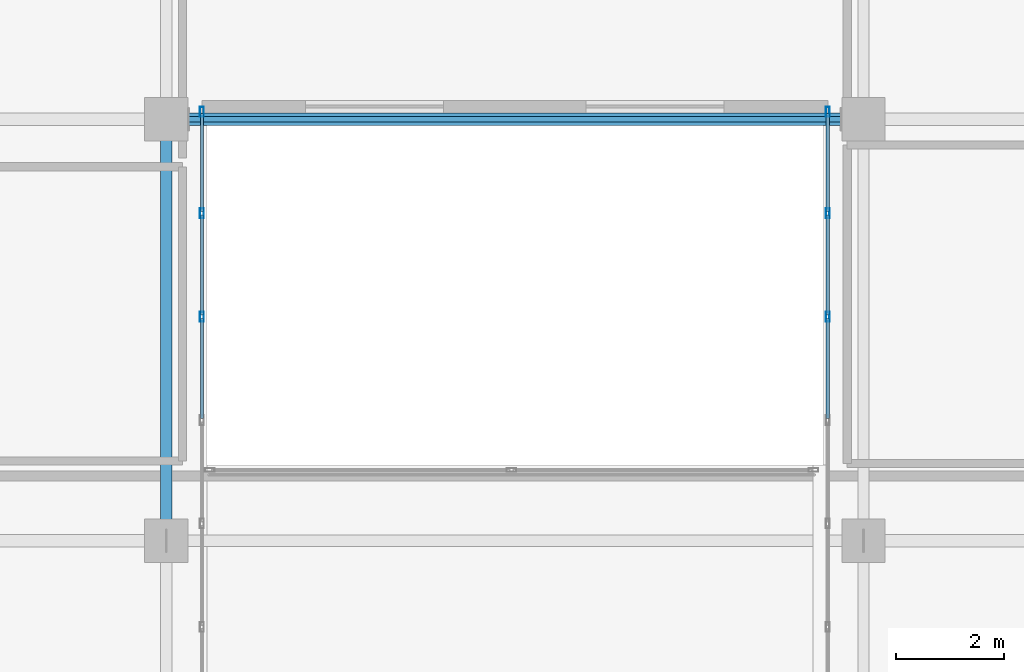
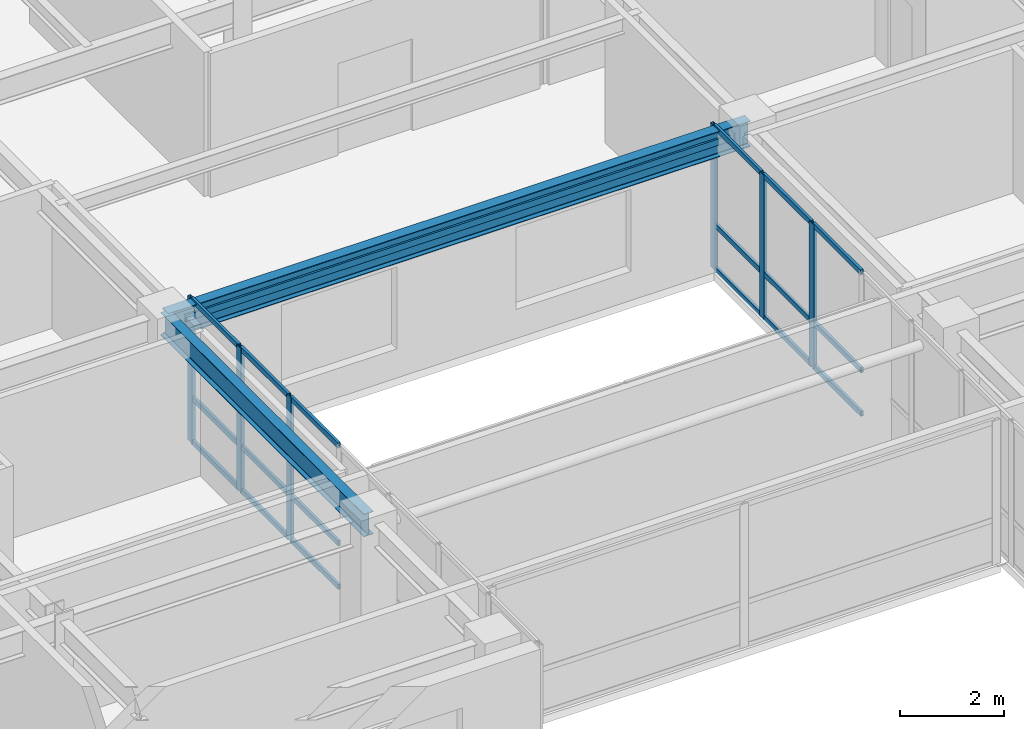
# One storey, part 4 of 20: 25 members, 2 beams, 2 elements without a shape of their own.
"""IFC4 building model written with IfcOpenShell, lengths in metres."""

from ifc_helpers import new_model, si_unit, direction, frame, origin, origin_2d, place, context, subcontext, project, spatial, hollow_rectangle, i_section, extrude, source, transform, mapped, material, layer, layer_set, material_profile, profile_set, type_object, type_shapes, element, aggregate, save


model = new_model("IFC4")

# Units and contexts
model_context = context("Model", 3, precision=1e-05, world=origin(), true_north=direction((0.0, 1.0)))
body_context = subcontext(model_context, "Body", "Model", "MODEL_VIEW")
ifc_project = project(units=[si_unit("LENGTHUNIT", "METRE"), si_unit("AREAUNIT", "SQUARE_METRE"), si_unit("VOLUMEUNIT", "CUBIC_METRE"), si_unit("PLANEANGLEUNIT", "RADIAN"), si_unit("MASSUNIT", "GRAM", prefix="KILO")], contexts=[model_context])

# Site, building, storey
site_placement = place(None, origin())
site = spatial("IfcSite", under=ifc_project, at=site_placement, CompositionType="ELEMENT")
building_placement = place(site_placement, origin())
building = spatial("IfcBuilding", under=site, at=building_placement, Name="Tolvann Quenvar Hotel", CompositionType="ELEMENT")
storey_placement = place(building_placement, frame((0.0, 0.0, 171.89990234375)))
storey = spatial("IfcBuildingStorey", under=building, at=storey_placement, Name="L45", CompositionType="ELEMENT", Elevation=171.89990234375)

# Beams
ifc_material_1 = material(Name="Steel Grade 350", Category="steel")
ifc_material_profile_1 = material_profile(ifc_material_1, i_section(OverallWidth=0.208984375, OverallDepth=0.532958984375, WebThickness=0.01025390625, FlangeThickness=0.015625, FilletRadius=0.013916015625, at=origin_2d()), Name="530UB92")
ifc_profile_set_1 = profile_set([ifc_material_profile_1], Name="Steel Grade 350")
beam_type_1 = type_object("IfcBeamType", Name="BM_GIRD_530UB92", PredefinedType="BEAM", material=ifc_profile_set_1)
shared_shape_1 = source(origin(), body_context, "Body", "SweptSolid", [
    extrude(i_section(OverallWidth=0.208984375, OverallDepth=0.532958984375, WebThickness=0.01025390625, FlangeThickness=0.015625, FilletRadius=0.013916015625, at=origin_2d()), origin(), (0.0, 0.0, 1.0), 7.800048828125),
])
type_shapes(beam_type_1, [shared_shape_1])
beam_1_placement = place(storey_placement, frame((22.050048828125, 8.199951171875, 3.103515625), z_axis=(0.0, 1.0, 0.0), x_axis=(-1.0, 0.0, 0.0)))
element("IfcBeam", 1, at=beam_1_placement, inside=storey, type_object=beam_type_1, Name="BM-L45-NS-E3-E4", PredefinedType="BEAM", context=body_context, shape_type="MappedRepresentation", body=[
    mapped(shared_shape_1, transform((0.0, 0.0, 0.0), x_axis=(1.0, 0.0, 0.0), y_axis=(0.0, 1.0, 0.0), z_axis=(0.0, 0.0, 1.0), scale=1.0)),
])
ifc_material_profile_2 = material_profile(ifc_material_1, i_section(OverallWidth=0.22802734375, OverallDepth=0.60205078125, WebThickness=0.010498046875, FlangeThickness=0.014892578125, FilletRadius=0.013916015625, at=origin_2d()), Name="610UB101")
ifc_profile_set_2 = profile_set([ifc_material_profile_2], Name="Steel Grade 350")
beam_type_2 = type_object("IfcBeamType", Name="BM_GIRD_610UB101", PredefinedType="BEAM", material=ifc_profile_set_2)
shared_shape_2 = source(origin(), body_context, "Body", "SweptSolid", [
    extrude(i_section(OverallWidth=0.22802734375, OverallDepth=0.60205078125, WebThickness=0.010498046875, FlangeThickness=0.014892578125, FilletRadius=0.013916015625, at=origin_2d()), origin(), (0.0, 0.0, 1.0), 12.89990234375),
])
type_shapes(beam_type_2, [shared_shape_2])
beam_2_placement = place(storey_placement, frame((22.050048828125, 16.0, 3.069091796875), z_axis=(1.0, 0.0, 0.0), x_axis=(0.0, 1.0, 0.0)))
element("IfcBeam", 2, at=beam_2_placement, inside=storey, type_object=beam_type_2, Name="BM-L45-EW-4-E4-F4", PredefinedType="BEAM", context=body_context, shape_type="MappedRepresentation", body=[
    mapped(shared_shape_2, transform((0.0, 0.0, 0.0), x_axis=(1.0, 0.0, 0.0), y_axis=(0.0, 1.0, 0.0), z_axis=(0.0, 0.0, 1.0), scale=1.0)),
])

# Member
ifc_material_2 = material(Name="Steel Grade 450 (C450L0)", Category="steel")
ifc_material_profile_3 = material_profile(ifc_material_2, hollow_rectangle(XDim=0.10009765625, YDim=0.14990234375, WallThickness=0.006103515625, at=origin_2d()), Name="150x100x6RHS")
ifc_profile_set_3 = profile_set([ifc_material_profile_3], Name="Steel Grade 450 (C450L0)")
member_type_1 = type_object("IfcMemberType", Name="MEM_GIRT_150RHS", PredefinedType="CHORD", material=ifc_profile_set_3)
shared_shape_3 = source(origin(), body_context, "Body", "SweptSolid", [
    extrude(hollow_rectangle(XDim=0.10009765625, YDim=0.14990234375, WallThickness=0.006103515625, at=origin_2d()), origin(), (0.0, 0.0, 1.0), 12.06982421875),
])
type_shapes(member_type_1, [shared_shape_3])
member_1_placement = place(storey_placement, frame((22.465087890625, 16.0, 3.070068359375), z_axis=(1.0, 0.0, 0.0), x_axis=(0.0, 1.0, 0.0)))
element("IfcMember", 3, at=member_1_placement, inside=storey, type_object=member_type_1, Name="Atrium Slot Spandrel Girt (L45)", PredefinedType="CHORD", context=body_context, shape_type="MappedRepresentation", body=[
    mapped(shared_shape_3, transform((0.0, 0.0, 0.0), x_axis=(1.0, 0.0, 0.0), y_axis=(0.0, 1.0, 0.0), z_axis=(0.0, 0.0, 1.0), scale=1.0)),
])

# Curtain wall, members
ifc_material_3 = material(Name="Thermally broken anodised architectural aluminium 6063-T6 and laminated low-E glass", Category="aluminium")
ifc_layer = layer(ifc_material_3, 0.179931640625)
ifc_layer_set = layer_set([ifc_layer], Name="Thermally broken anodised architectural aluminium 6063-T6 and laminated low-E glass")
curtain_wall_type = type_object("IfcCurtainWallType", Name="CW_SYS_SLOT_03", PredefinedType="USERDEFINED", material=ifc_layer_set)
curtain_wall_1_placement = place(storey_placement, origin())
curtain_wall_1 = element("IfcCurtainWall", 4, at=curtain_wall_1_placement, inside=storey, type_object=curtain_wall_type, Name="Curtain Wall CW-SLOT-03 (CWR-L45-E05)", ObjectType="UNITISED CURTAIN WALL", PredefinedType="USERDEFINED")
ifc_material_4 = material(Name="Anodised architectural aluminium 6063-T6 framing", Category="aluminium")
ifc_material_profile_4 = material_profile(ifc_material_4, hollow_rectangle(XDim=0.070068359375, YDim=0.179931640625, WallThickness=0.00390625, at=origin_2d()), Name="180x70x4RHS")
ifc_profile_set_4 = profile_set([ifc_material_profile_4], Name="Anodised architectural aluminium 6063-T6 framing")
member_type_2 = type_object("IfcMemberType", Name="CW_MULL_180x70", PredefinedType="MULLION", material=ifc_profile_set_4)
shared_shape_4 = source(origin(), body_context, "Body", "SweptSolid", [
    extrude(hollow_rectangle(XDim=0.070068359375, YDim=0.179931640625, WallThickness=0.00390625, at=origin_2d()), origin(), (0.0, 0.0, 1.0), 3.3701171875),
])
type_shapes(member_type_2, [shared_shape_4])
member_2_placement = place(storey_placement, frame((22.7099609375, 12.346435546875, 0.0), z_axis=(0.0, 0.0, 1.0), x_axis=(-1.0, 0.0, 0.0)))
member_2 = element("IfcMember", 5, at=member_2_placement, type_object=member_type_2, Name="CW-SLOT-03 mullion 6", PredefinedType="MULLION", context=body_context, shape_type="MappedRepresentation", body=[
    mapped(shared_shape_4, transform((0.0, 0.0, 0.0), x_axis=(1.0, 0.0, 0.0), y_axis=(0.0, 1.0, 0.0), z_axis=(0.0, 0.0, 1.0), scale=1.0)),
])
member_3_placement = place(storey_placement, frame((22.7099609375, 14.2607421875, 0.0), z_axis=(0.0, 0.0, 1.0), x_axis=(-1.0, 0.0, 0.0)))
member_3 = element("IfcMember", 6, at=member_3_placement, type_object=member_type_2, Name="CW-SLOT-03 mullion 7", PredefinedType="MULLION", context=body_context, shape_type="MappedRepresentation", body=[
    mapped(shared_shape_4, transform((0.0, 0.0, 0.0), x_axis=(1.0, 0.0, 0.0), y_axis=(0.0, 1.0, 0.0), z_axis=(0.0, 0.0, 1.0), scale=1.0)),
])
member_4_placement = place(storey_placement, frame((22.7099609375, 16.139892578125, 0.0), z_axis=(0.0, 0.0, 1.0), x_axis=(-1.0, 0.0, 0.0)))
member_4 = element("IfcMember", 7, at=member_4_placement, type_object=member_type_2, Name="CW-SLOT-03 mullion 8", PredefinedType="MULLION", context=body_context, shape_type="MappedRepresentation", body=[
    mapped(shared_shape_4, transform((0.0, 0.0, 0.0), x_axis=(1.0, 0.0, 0.0), y_axis=(0.0, 1.0, 0.0), z_axis=(0.0, 0.0, 1.0), scale=1.0)),
])

curtain_wall_2_placement = place(storey_placement, origin())
curtain_wall_2 = element("IfcCurtainWall", 8, at=curtain_wall_2_placement, inside=storey, type_object=curtain_wall_type, Name="Curtain Wall CW-SLOT-03 (CWR-L45-E07)", ObjectType="UNITISED CURTAIN WALL", PredefinedType="USERDEFINED")
member_5_placement = place(storey_placement, frame((34.2900390625, 16.139892578125, 0.0), z_axis=(0.0, 0.0, 1.0), x_axis=(1.0, 0.0, 0.0)))
member_5 = element("IfcMember", 9, at=member_5_placement, type_object=member_type_2, Name="CW-SLOT-03 mullion 1", PredefinedType="MULLION", context=body_context, shape_type="MappedRepresentation", body=[
    mapped(shared_shape_4, transform((0.0, 0.0, 0.0), x_axis=(1.0, 0.0, 0.0), y_axis=(0.0, 1.0, 0.0), z_axis=(0.0, 0.0, 1.0), scale=1.0)),
])
member_6_placement = place(storey_placement, frame((34.2900390625, 14.2607421875, 0.0), z_axis=(0.0, 0.0, 1.0), x_axis=(1.0, 0.0, 0.0)))
member_6 = element("IfcMember", 10, at=member_6_placement, type_object=member_type_2, Name="CW-SLOT-03 mullion 2", PredefinedType="MULLION", context=body_context, shape_type="MappedRepresentation", body=[
    mapped(shared_shape_4, transform((0.0, 0.0, 0.0), x_axis=(1.0, 0.0, 0.0), y_axis=(0.0, 1.0, 0.0), z_axis=(0.0, 0.0, 1.0), scale=1.0)),
])
member_7_placement = place(storey_placement, frame((34.2900390625, 12.346435546875, 0.0), z_axis=(0.0, 0.0, 1.0), x_axis=(1.0, 0.0, 0.0)))
member_7 = element("IfcMember", 11, at=member_7_placement, type_object=member_type_2, Name="CW-SLOT-03 mullion 3", PredefinedType="MULLION", context=body_context, shape_type="MappedRepresentation", body=[
    mapped(shared_shape_4, transform((0.0, 0.0, 0.0), x_axis=(1.0, 0.0, 0.0), y_axis=(0.0, 1.0, 0.0), z_axis=(0.0, 0.0, 1.0), scale=1.0)),
])

# Member
ifc_material_profile_5 = material_profile(ifc_material_4, hollow_rectangle(XDim=0.06005859375, YDim=0.1201171875, WallThickness=0.00341796875, at=origin_2d()), Name="120x60x3.5RHS")
ifc_profile_set_5 = profile_set([ifc_material_profile_5], Name="Anodised architectural aluminium 6063-T6 framing")
member_type_3 = type_object("IfcMemberType", Name="CW_TRAN_120x60", PredefinedType="USERDEFINED", material=ifc_profile_set_5)
shared_shape_5 = source(origin(), body_context, "Body", "SweptSolid", [
    extrude(hollow_rectangle(XDim=0.06005859375, YDim=0.1201171875, WallThickness=0.00341796875, at=origin_2d()), origin(), (0.0, 0.0, 1.0), 1.809326171875),
])
member_8_placement = place(storey_placement, frame((22.7099609375, 14.295654296875, 0.030029296875), z_axis=(0.0, 1.0, 0.0), x_axis=(-1.0, 0.0, 0.0)))
member_8 = element("IfcMember", 12, at=member_8_placement, type_object=member_type_3, Name="CW-SLOT-03 transom 7.1", ObjectType="TRANSOM", PredefinedType="USERDEFINED", context=body_context, shape_type="MappedRepresentation", body=[
    mapped(shared_shape_5, transform((0.0, 0.0, 0.0), x_axis=(1.0, 0.0, 0.0), y_axis=(0.0, 1.0, 0.0), z_axis=(0.0, 0.0, 1.0), scale=1.0)),
])

member_9_placement = place(storey_placement, frame((22.7099609375, 14.295654296875, 1.050048828125), z_axis=(0.0, 1.0, 0.0), x_axis=(-1.0, 0.0, 0.0)))
member_9 = element("IfcMember", 13, at=member_9_placement, type_object=member_type_3, Name="CW-SLOT-03 transom 7.2", ObjectType="TRANSOM", PredefinedType="USERDEFINED", context=body_context, shape_type="MappedRepresentation", body=[
    mapped(shared_shape_5, transform((0.0, 0.0, 0.0), x_axis=(1.0, 0.0, 0.0), y_axis=(0.0, 1.0, 0.0), z_axis=(0.0, 0.0, 1.0), scale=1.0)),
])

member_10_placement = place(storey_placement, frame((22.7099609375, 14.295654296875, 3.340087890625), z_axis=(0.0, 1.0, 0.0), x_axis=(-1.0, 0.0, 0.0)))
member_10 = element("IfcMember", 14, at=member_10_placement, type_object=member_type_3, Name="CW-SLOT-03 transom 7.3", ObjectType="TRANSOM", PredefinedType="USERDEFINED", context=body_context, shape_type="MappedRepresentation", body=[
    mapped(shared_shape_5, transform((0.0, 0.0, 0.0), x_axis=(1.0, 0.0, 0.0), y_axis=(0.0, 1.0, 0.0), z_axis=(0.0, 0.0, 1.0), scale=1.0)),
])

member_11_placement = place(storey_placement, frame((34.2900390625, 16.10498046875, 0.030029296875), z_axis=(0.0, -1.0, 0.0), x_axis=(1.0, 0.0, 0.0)))
member_11 = element("IfcMember", 15, at=member_11_placement, type_object=member_type_3, Name="CW-SLOT-03 transom 1.1", ObjectType="TRANSOM", PredefinedType="USERDEFINED", context=body_context, shape_type="MappedRepresentation", body=[
    mapped(shared_shape_5, transform((0.0, 0.0, 0.0), x_axis=(1.0, 0.0, 0.0), y_axis=(0.0, 1.0, 0.0), z_axis=(0.0, 0.0, 1.0), scale=1.0)),
])

member_12_placement = place(storey_placement, frame((34.2900390625, 16.10498046875, 1.050048828125), z_axis=(0.0, -1.0, 0.0), x_axis=(1.0, 0.0, 0.0)))
member_12 = element("IfcMember", 16, at=member_12_placement, type_object=member_type_3, Name="CW-SLOT-03 transom 1.2", ObjectType="TRANSOM", PredefinedType="USERDEFINED", context=body_context, shape_type="MappedRepresentation", body=[
    mapped(shared_shape_5, transform((0.0, 0.0, 0.0), x_axis=(1.0, 0.0, 0.0), y_axis=(0.0, 1.0, 0.0), z_axis=(0.0, 0.0, 1.0), scale=1.0)),
])

member_13_placement = place(storey_placement, frame((34.2900390625, 16.10498046875, 3.340087890625), z_axis=(0.0, -1.0, 0.0), x_axis=(1.0, 0.0, 0.0)))
member_13 = element("IfcMember", 17, at=member_13_placement, type_object=member_type_3, Name="CW-SLOT-03 transom 1.3", ObjectType="TRANSOM", PredefinedType="USERDEFINED", context=body_context, shape_type="MappedRepresentation", body=[
    mapped(shared_shape_5, transform((0.0, 0.0, 0.0), x_axis=(1.0, 0.0, 0.0), y_axis=(0.0, 1.0, 0.0), z_axis=(0.0, 0.0, 1.0), scale=1.0)),
])

shared_shape_6 = source(origin(), body_context, "Body", "SweptSolid", [
    extrude(hollow_rectangle(XDim=0.06005859375, YDim=0.1201171875, WallThickness=0.00341796875, at=origin_2d()), origin(), (0.0, 0.0, 1.0), 1.844482421875),
])
type_shapes(member_type_3, [shared_shape_5, shared_shape_6])
member_14_placement = place(storey_placement, frame((22.7099609375, 10.467041015625, 0.030029296875), z_axis=(0.0, 1.0, 0.0), x_axis=(-1.0, 0.0, 0.0)))
member_14 = element("IfcMember", 18, at=member_14_placement, type_object=member_type_3, Name="CW-SLOT-03 transom 5.1", ObjectType="TRANSOM", PredefinedType="USERDEFINED", context=body_context, shape_type="MappedRepresentation", body=[
    mapped(shared_shape_6, transform((0.0, 0.0, 0.0), x_axis=(1.0, 0.0, 0.0), y_axis=(0.0, 1.0, 0.0), z_axis=(0.0, 0.0, 1.0), scale=1.0)),
])

member_15_placement = place(storey_placement, frame((22.7099609375, 10.467041015625, 1.050048828125), z_axis=(0.0, 1.0, 0.0), x_axis=(-1.0, 0.0, 0.0)))
member_15 = element("IfcMember", 19, at=member_15_placement, type_object=member_type_3, Name="CW-SLOT-03 transom 5.2", ObjectType="TRANSOM", PredefinedType="USERDEFINED", context=body_context, shape_type="MappedRepresentation", body=[
    mapped(shared_shape_6, transform((0.0, 0.0, 0.0), x_axis=(1.0, 0.0, 0.0), y_axis=(0.0, 1.0, 0.0), z_axis=(0.0, 0.0, 1.0), scale=1.0)),
])

member_16_placement = place(storey_placement, frame((22.7099609375, 10.467041015625, 3.340087890625), z_axis=(0.0, 1.0, 0.0), x_axis=(-1.0, 0.0, 0.0)))
member_16 = element("IfcMember", 20, at=member_16_placement, type_object=member_type_3, Name="CW-SLOT-03 transom 5.3", ObjectType="TRANSOM", PredefinedType="USERDEFINED", context=body_context, shape_type="MappedRepresentation", body=[
    mapped(shared_shape_6, transform((0.0, 0.0, 0.0), x_axis=(1.0, 0.0, 0.0), y_axis=(0.0, 1.0, 0.0), z_axis=(0.0, 0.0, 1.0), scale=1.0)),
])

member_17_placement = place(storey_placement, frame((22.7099609375, 12.38134765625, 0.030029296875), z_axis=(0.0, 1.0, 0.0), x_axis=(-1.0, 0.0, 0.0)))
member_17 = element("IfcMember", 21, at=member_17_placement, type_object=member_type_3, Name="CW-SLOT-03 transom 6.1", ObjectType="TRANSOM", PredefinedType="USERDEFINED", context=body_context, shape_type="MappedRepresentation", body=[
    mapped(shared_shape_6, transform((0.0, 0.0, 0.0), x_axis=(1.0, 0.0, 0.0), y_axis=(0.0, 1.0, 0.0), z_axis=(0.0, 0.0, 1.0), scale=1.0)),
])

member_18_placement = place(storey_placement, frame((22.7099609375, 12.38134765625, 1.050048828125), z_axis=(0.0, 1.0, 0.0), x_axis=(-1.0, 0.0, 0.0)))
member_18 = element("IfcMember", 22, at=member_18_placement, type_object=member_type_3, Name="CW-SLOT-03 transom 6.2", ObjectType="TRANSOM", PredefinedType="USERDEFINED", context=body_context, shape_type="MappedRepresentation", body=[
    mapped(shared_shape_6, transform((0.0, 0.0, 0.0), x_axis=(1.0, 0.0, 0.0), y_axis=(0.0, 1.0, 0.0), z_axis=(0.0, 0.0, 1.0), scale=1.0)),
])

member_19_placement = place(storey_placement, frame((22.7099609375, 12.38134765625, 3.340087890625), z_axis=(0.0, 1.0, 0.0), x_axis=(-1.0, 0.0, 0.0)))
member_19 = element("IfcMember", 23, at=member_19_placement, type_object=member_type_3, Name="CW-SLOT-03 transom 6.3", ObjectType="TRANSOM", PredefinedType="USERDEFINED", context=body_context, shape_type="MappedRepresentation", body=[
    mapped(shared_shape_6, transform((0.0, 0.0, 0.0), x_axis=(1.0, 0.0, 0.0), y_axis=(0.0, 1.0, 0.0), z_axis=(0.0, 0.0, 1.0), scale=1.0)),
])

aggregate(curtain_wall_1, [member_2, member_3, member_4, member_14, member_15, member_16, member_17, member_18, member_19, member_8, member_9, member_10])

member_20_placement = place(storey_placement, frame((34.2900390625, 14.225830078125, 0.030029296875), z_axis=(0.0, -1.0, 0.0), x_axis=(1.0, 0.0, 0.0)))
member_20 = element("IfcMember", 24, at=member_20_placement, type_object=member_type_3, Name="CW-SLOT-03 transom 2.1", ObjectType="TRANSOM", PredefinedType="USERDEFINED", context=body_context, shape_type="MappedRepresentation", body=[
    mapped(shared_shape_6, transform((0.0, 0.0, 0.0), x_axis=(1.0, 0.0, 0.0), y_axis=(0.0, 1.0, 0.0), z_axis=(0.0, 0.0, 1.0), scale=1.0)),
])

member_21_placement = place(storey_placement, frame((34.2900390625, 14.225830078125, 1.050048828125), z_axis=(0.0, -1.0, 0.0), x_axis=(1.0, 0.0, 0.0)))
member_21 = element("IfcMember", 25, at=member_21_placement, type_object=member_type_3, Name="CW-SLOT-03 transom 2.2", ObjectType="TRANSOM", PredefinedType="USERDEFINED", context=body_context, shape_type="MappedRepresentation", body=[
    mapped(shared_shape_6, transform((0.0, 0.0, 0.0), x_axis=(1.0, 0.0, 0.0), y_axis=(0.0, 1.0, 0.0), z_axis=(0.0, 0.0, 1.0), scale=1.0)),
])

member_22_placement = place(storey_placement, frame((34.2900390625, 14.225830078125, 3.340087890625), z_axis=(0.0, -1.0, 0.0), x_axis=(1.0, 0.0, 0.0)))
member_22 = element("IfcMember", 26, at=member_22_placement, type_object=member_type_3, Name="CW-SLOT-03 transom 2.3", ObjectType="TRANSOM", PredefinedType="USERDEFINED", context=body_context, shape_type="MappedRepresentation", body=[
    mapped(shared_shape_6, transform((0.0, 0.0, 0.0), x_axis=(1.0, 0.0, 0.0), y_axis=(0.0, 1.0, 0.0), z_axis=(0.0, 0.0, 1.0), scale=1.0)),
])

member_23_placement = place(storey_placement, frame((34.2900390625, 12.3115234375, 0.030029296875), z_axis=(0.0, -1.0, 0.0), x_axis=(1.0, 0.0, 0.0)))
member_23 = element("IfcMember", 27, at=member_23_placement, type_object=member_type_3, Name="CW-SLOT-03 transom 3.1", ObjectType="TRANSOM", PredefinedType="USERDEFINED", context=body_context, shape_type="MappedRepresentation", body=[
    mapped(shared_shape_6, transform((0.0, 0.0, 0.0), x_axis=(1.0, 0.0, 0.0), y_axis=(0.0, 1.0, 0.0), z_axis=(0.0, 0.0, 1.0), scale=1.0)),
])

member_24_placement = place(storey_placement, frame((34.2900390625, 12.3115234375, 1.050048828125), z_axis=(0.0, -1.0, 0.0), x_axis=(1.0, 0.0, 0.0)))
member_24 = element("IfcMember", 28, at=member_24_placement, type_object=member_type_3, Name="CW-SLOT-03 transom 3.2", ObjectType="TRANSOM", PredefinedType="USERDEFINED", context=body_context, shape_type="MappedRepresentation", body=[
    mapped(shared_shape_6, transform((0.0, 0.0, 0.0), x_axis=(1.0, 0.0, 0.0), y_axis=(0.0, 1.0, 0.0), z_axis=(0.0, 0.0, 1.0), scale=1.0)),
])

member_25_placement = place(storey_placement, frame((34.2900390625, 12.3115234375, 3.340087890625), z_axis=(0.0, -1.0, 0.0), x_axis=(1.0, 0.0, 0.0)))
member_25 = element("IfcMember", 29, at=member_25_placement, type_object=member_type_3, Name="CW-SLOT-03 transom 3.3", ObjectType="TRANSOM", PredefinedType="USERDEFINED", context=body_context, shape_type="MappedRepresentation", body=[
    mapped(shared_shape_6, transform((0.0, 0.0, 0.0), x_axis=(1.0, 0.0, 0.0), y_axis=(0.0, 1.0, 0.0), z_axis=(0.0, 0.0, 1.0), scale=1.0)),
])

aggregate(curtain_wall_2, [member_5, member_6, member_7, member_11, member_12, member_13, member_20, member_21, member_22, member_23, member_24, member_25])

save(model, "model.ifc")
